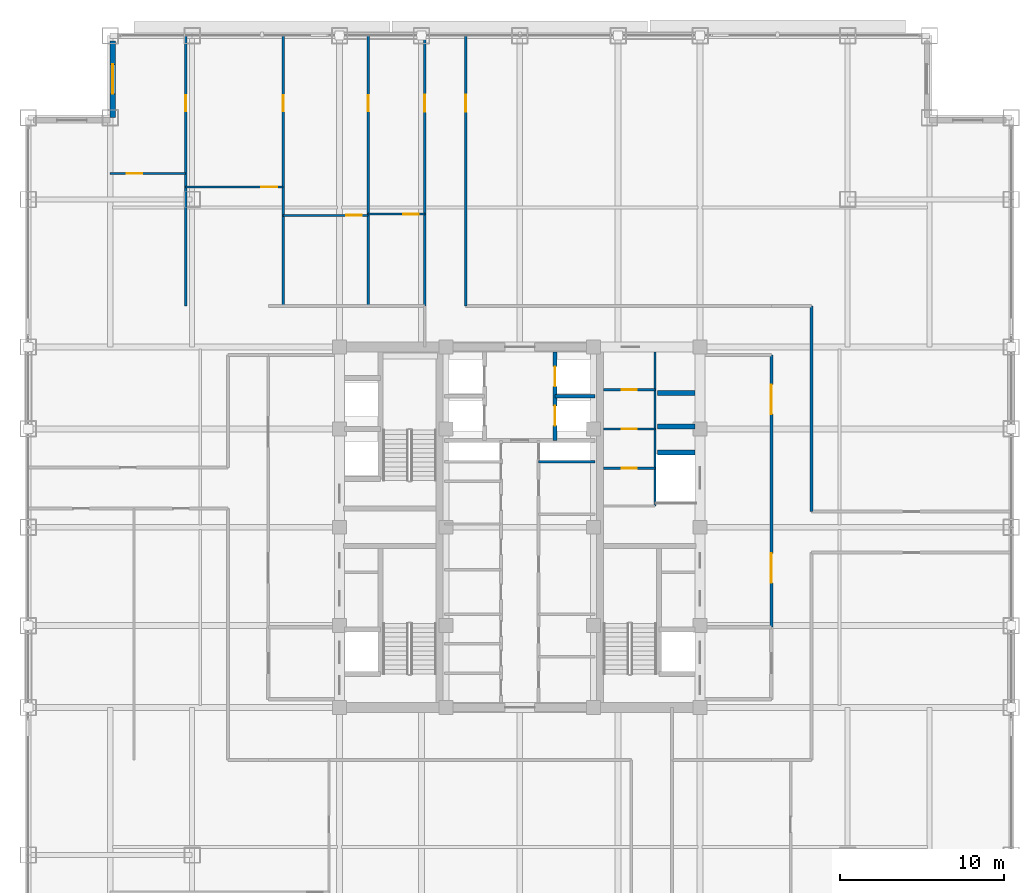
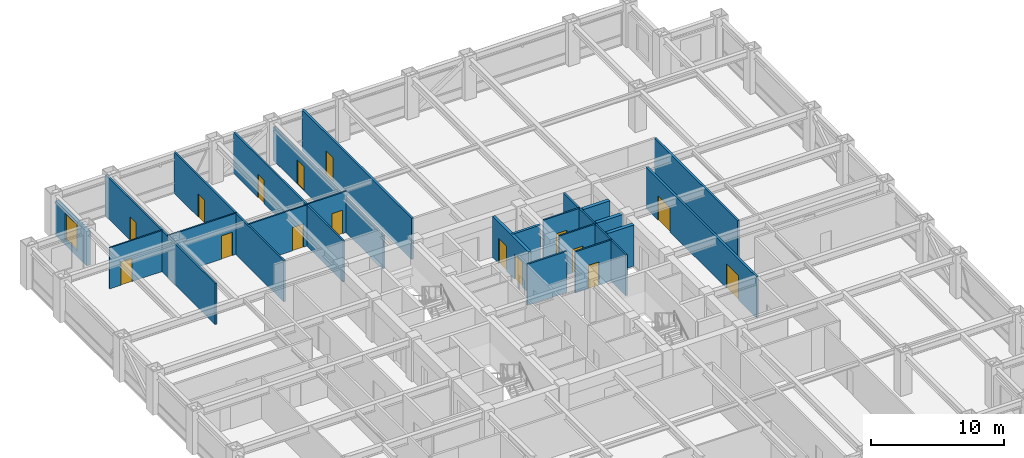
# One storey, part 23 of 29: 22 walls, 16 doors, 1 window, 17 openings.
"""IFC4 building model written with IfcOpenShell, lengths in metres."""

from ifc_helpers import new_model, si_unit, direction, frame, frame_2d, origin, place, context, subcontext, project, spatial, rectangle, extrude, source, transform, mapped, material, layer, layer_set, type_object, element, fill, save


model = new_model("IFC4")

# Units and contexts
model_context = context("Model", 3, precision=1e-05, world=origin(), true_north=direction((0.0, 1.0)))
body_context = subcontext(model_context, "Body", "Model", "MODEL_VIEW")
ifc_project = project(units=[si_unit("LENGTHUNIT", "METRE"), si_unit("AREAUNIT", "SQUARE_METRE"), si_unit("VOLUMEUNIT", "CUBIC_METRE"), si_unit("PLANEANGLEUNIT", "RADIAN"), si_unit("MASSUNIT", "GRAM", prefix="KILO")], contexts=[model_context])

# Site, building, storey
site_placement = place(None, origin())
site = spatial("IfcSite", under=ifc_project, at=site_placement, CompositionType="ELEMENT")
building_placement = place(site_placement, origin())
building = spatial("IfcBuilding", under=site, at=building_placement, Name="Khorayat Bourse Tower", CompositionType="ELEMENT")
storey_placement = place(building_placement, frame((0.0, 0.0, 239.10009765625)))
storey = spatial("IfcBuildingStorey", under=building, at=storey_placement, Name="L56", CompositionType="ELEMENT", Elevation=239.10009765625)

# Wall, opening, window
ifc_material_1 = material(Name="Precast concrete C45/55", Category="concrete")
ifc_layer_1 = layer(ifc_material_1, 0.320068359375)
ifc_layer_set_1 = layer_set([ifc_layer_1], Name="Precast concrete C45/55")
wall_type_1 = type_object("IfcWallType", Name="WAL-EXT-STONE-320", PredefinedType="STANDARD", material=ifc_layer_set_1)
shared_shape_1 = source(origin(), body_context, "Body", "SweptSolid", [
    extrude(rectangle(XDim=4.679931640625, YDim=0.320068359375, at=frame_2d((2.33984375, 0.0))), origin(), (0.0, 0.0, 1.0), 3.163818359375),
])
wall_1_placement = place(storey_placement, frame((-24.840087890625, 25.0, 0.0), z_axis=(0.0, 0.0, 1.0), x_axis=(0.0, 1.0, 0.0)))
wall_1 = element("IfcWall", 1, at=wall_1_placement, inside=storey, type_object=wall_type_1, Name="L56 Re-Entrant Notch Limestone Wall NW-V", PredefinedType="STANDARD", context=body_context, shape_type="MappedRepresentation", body=[
    mapped(shared_shape_1, transform((0.0, 0.0, 0.0), scale=1.0)),
])
shared_shape_2 = source(origin(), body_context, "Body", "SweptSolid", [
    extrude(rectangle(XDim=1.800048828125, YDim=2.39990234375, at=frame_2d((0.89990234375, 1.199951171875))), frame((0.0, 0.169921875, 0.0), z_axis=(0.0, -1.0, 0.0), x_axis=(1.0, 0.0, 0.0)), (0.0, 0.0, 1.0), 0.340087890625),
])
opening_1_placement = place(wall_1_placement, frame((1.43994140625, 0.0, 0.5)))
opening_1 = element("IfcOpeningElement", 2, at=opening_1_placement, cuts=wall_1, Name="Opening WN-04", PredefinedType="OPENING", context=body_context, shape_type="MappedRepresentation", body=[
    mapped(shared_shape_2, transform((0.0, 0.0, 0.0), scale=1.0)),
])
ifc_material_2 = material(Name="Low-E acoustic laminated double glazing", Category="glass")
window_type = type_object("IfcWindowType", Name="WIN-NOTCH-1800x2400", PartitioningType="SINGLE_PANEL", PredefinedType="WINDOW", material=ifc_material_2)
shared_shape_3 = source(origin(), body_context, "Body", "SweptSolid", [
    extrude(rectangle(XDim=1.800048828125, YDim=2.39990234375, at=frame_2d((0.89990234375, 1.199951171875))), frame((0.0, 0.030029296875, 0.0), z_axis=(0.0, -1.0, 0.0), x_axis=(1.0, 0.0, 0.0)), (0.0, 0.0, 1.0), 0.06005859375),
])
window_placement = place(opening_1_placement, origin())
window = element("IfcWindow", 3, at=window_placement, inside=storey, type_object=window_type, Name="L56 Facade Window 1", OverallHeight=2.39990234375, OverallWidth=1.800048828125, PartitioningType="SINGLE_PANEL", PredefinedType="WINDOW", context=body_context, shape_type="MappedRepresentation", body=[
    mapped(shared_shape_3, transform((0.0, 0.0, 0.0), scale=1.0)),
])
fill(opening_1, window)

# Walls
ifc_material_3 = material(Name="Concrete C50/60", Category="concrete")
ifc_layer_2 = layer(ifc_material_3, 0.300048828125)
ifc_layer_set_2 = layer_set([ifc_layer_2], Name="Concrete C50/60")
wall_type_2 = type_object("IfcWallType", Name="WAL-SHAFT-300", PredefinedType="SHEAR", material=ifc_layer_set_2)
shared_shape_4 = source(origin(), body_context, "Body", "SweptSolid", [
    extrude(rectangle(XDim=2.300048828125, YDim=0.300048828125, at=frame_2d((1.14990234375, 0.0))), origin(), (0.0, 0.0, 1.0), 3.77978515625),
])
for number, where, z_axis, x_axis, name in (
    (4, (8.39990234375, 4.550048828125, 0.0), (0.0, 0.0, 1.0), (1.0, 0.0, 0.0), "L56 Partition WAL-L56-EPIER-SVLN"),
    (5, (8.39990234375, 6.14990234375, 0.0), (0.0, 0.0, 1.0), (1.0, 0.0, 0.0), "L56 Partition WAL-L56-EPIER-H3S"),
    (6, (8.39990234375, 8.199951171875, 0.0), (0.0, 0.0, 1.0), (1.0, 0.0, 0.0), "L56 Partition WAL-L56-EPIER-H34"),
):
    element("IfcWall", number, at=place(storey_placement, frame(where, z_axis=z_axis, x_axis=x_axis)), inside=storey, type_object=wall_type_2, Name=name, PredefinedType="SHEAR", context=body_context, shape_type="MappedRepresentation", body=[
        mapped(shared_shape_4, transform((0.0, 0.0, 0.0), scale=1.0)),
    ])
ifc_material_4 = material(Name="Moisture-resistant masonry partition", Category="masonry")
ifc_layer_3 = layer(ifc_material_4, 0.139892578125)
ifc_layer_set_3 = layer_set([ifc_layer_3], Name="Moisture-resistant masonry partition")
wall_type_3 = type_object("IfcWallType", Name="WAL-PART-WET-140", PredefinedType="PARTITIONING", material=ifc_layer_set_3)
shared_shape_5 = source(origin(), body_context, "Body", "SweptSolid", [
    extrude(rectangle(XDim=9.39990234375, YDim=0.139892578125, at=frame_2d((4.699951171875, 0.0))), origin(), (0.0, 0.0, 1.0), 3.77978515625),
])
wall_2_placement = place(storey_placement, frame((8.25, 1.300048828125, 0.0), z_axis=(0.0, 0.0, 1.0), x_axis=(0.0, 1.0, 0.0)))
element("IfcWall", 7, at=wall_2_placement, inside=storey, type_object=wall_type_3, Name="L56 Partition WAL-L56-ECORE-E", PredefinedType="PARTITIONING", context=body_context, shape_type="MappedRepresentation", body=[
    mapped(shared_shape_5, transform((0.0, 0.0, 0.0), scale=1.0)),
])

# Wall, opening, door
shared_shape_6 = source(origin(), body_context, "Body", "SweptSolid", [
    extrude(rectangle(XDim=3.14990234375, YDim=0.139892578125, at=frame_2d((1.574951171875, 0.0))), origin(), (0.0, 0.0, 1.0), 3.77978515625),
])
wall_3_placement = place(storey_placement, frame((5.10009765625, 8.39990234375, 0.0), z_axis=(0.0, 0.0, 1.0), x_axis=(1.0, 0.0, 0.0)))
wall_3 = element("IfcWall", 8, at=wall_3_placement, inside=storey, type_object=wall_type_3, Name="L56 Partition WAL-L56-ECW-TOP", PredefinedType="PARTITIONING", context=body_context, shape_type="MappedRepresentation", body=[
    mapped(shared_shape_6, transform((0.0, 0.0, 0.0), scale=1.0)),
])
shared_shape_7 = source(origin(), body_context, "Body", "SweptSolid", [
    extrude(rectangle(XDim=0.89990234375, YDim=2.14990234375, at=frame_2d((0.449951171875, 1.074951171875))), frame((0.0, 0.079833984375, 0.0), z_axis=(0.0, -1.0, 0.0), x_axis=(1.0, 0.0, 0.0)), (0.0, 0.0, 1.0), 0.159912109375),
])
opening_2_placement = place(wall_3_placement, frame((1.1298828125, 0.0, 0.0)))
opening_2 = element("IfcOpeningElement", 9, at=opening_2_placement, cuts=wall_3, Name="Opening DI-06", PredefinedType="OPENING", context=body_context, shape_type="MappedRepresentation", body=[
    mapped(shared_shape_7, transform((0.0, 0.0, 0.0), scale=1.0)),
])
ifc_material_5 = material(Name="Moisture-resistant laminate washroom door")
door_type_1 = type_object("IfcDoorType", Name="DR-INT-WC-900", OperationType="NOTDEFINED", PredefinedType="DOOR", material=ifc_material_5)
shared_shape_8 = source(origin(), body_context, "Body", "SweptSolid", [
    extrude(rectangle(XDim=0.89990234375, YDim=2.14990234375, at=frame_2d((0.449951171875, 1.074951171875))), frame((0.0, 0.02490234375, 0.0), z_axis=(0.0, -1.0, 0.0), x_axis=(1.0, 0.0, 0.0)), (0.0, 0.0, 1.0), 0.050048828125),
])
door_1_placement = place(opening_2_placement, origin())
door_1 = element("IfcDoor", 10, at=door_1_placement, inside=storey, type_object=door_type_1, Name="L56 Accessible WC Door", OperationType="SINGLE_SWING_LEFT", OverallHeight=2.14990234375, OverallWidth=0.89990234375, PredefinedType="DOOR", context=body_context, shape_type="MappedRepresentation", body=[
    mapped(shared_shape_8, transform((0.0, 0.0, 0.0), scale=1.0)),
])
fill(opening_2, door_1)

wall_4_placement = place(storey_placement, frame((5.10009765625, 6.0, 0.0), z_axis=(0.0, 0.0, 1.0), x_axis=(1.0, 0.0, 0.0)))
wall_4 = element("IfcWall", 11, at=wall_4_placement, inside=storey, type_object=wall_type_3, Name="L56 Partition WAL-L56-ECW-H1", PredefinedType="PARTITIONING", context=body_context, shape_type="MappedRepresentation", body=[
    mapped(shared_shape_6, transform((0.0, 0.0, 0.0), scale=1.0)),
])
opening_3_placement = place(wall_4_placement, frame((1.1298828125, 0.0, 0.0)))
opening_3 = element("IfcOpeningElement", 12, at=opening_3_placement, cuts=wall_4, Name="Opening DI-06", PredefinedType="OPENING", context=body_context, shape_type="MappedRepresentation", body=[
    mapped(shared_shape_7, transform((0.0, 0.0, 0.0), scale=1.0)),
])
door_2_placement = place(opening_3_placement, origin())
door_2 = element("IfcDoor", 13, at=door_2_placement, inside=storey, type_object=door_type_1, Name="L56 Shared Washroom Door", OperationType="SINGLE_SWING_RIGHT", OverallHeight=2.14990234375, OverallWidth=0.89990234375, PredefinedType="DOOR", context=body_context, shape_type="MappedRepresentation", body=[
    mapped(shared_shape_8, transform((0.0, 0.0, 0.0), scale=1.0)),
])
fill(opening_3, door_2)

wall_5_placement = place(storey_placement, frame((5.10009765625, 3.60009765625, 0.0), z_axis=(0.0, 0.0, 1.0), x_axis=(1.0, 0.0, 0.0)))
wall_5 = element("IfcWall", 14, at=wall_5_placement, inside=storey, type_object=wall_type_3, Name="L56 Partition WAL-L56-ECW-H2", PredefinedType="PARTITIONING", context=body_context, shape_type="MappedRepresentation", body=[
    mapped(shared_shape_6, transform((0.0, 0.0, 0.0), scale=1.0)),
])
opening_4_placement = place(wall_5_placement, frame((1.1298828125, 0.0, 0.0)))
opening_4 = element("IfcOpeningElement", 15, at=opening_4_placement, cuts=wall_5, Name="Opening DI-06", PredefinedType="OPENING", context=body_context, shape_type="MappedRepresentation", body=[
    mapped(shared_shape_7, transform((0.0, 0.0, 0.0), scale=1.0)),
])
door_3_placement = place(opening_4_placement, origin())
door_3 = element("IfcDoor", 16, at=door_3_placement, inside=storey, type_object=door_type_1, Name="L56 Staff Washroom Door", OperationType="SINGLE_SWING_LEFT", OverallHeight=2.14990234375, OverallWidth=0.89990234375, PredefinedType="DOOR", context=body_context, shape_type="MappedRepresentation", body=[
    mapped(shared_shape_8, transform((0.0, 0.0, 0.0), scale=1.0)),
])
fill(opening_4, door_3)

# Wall, openings, doors
ifc_material_6 = material(Name="Gypsum plasterboard acoustic stud wall")
ifc_layer_4 = layer(ifc_material_6, 0.179931640625)
ifc_layer_set_4 = layer_set([ifc_layer_4], Name="Gypsum plasterboard acoustic stud wall")
wall_type_4 = type_object("IfcWallType", Name="WAL-PART-CORR-180", PredefinedType="PARTITIONING", material=ifc_layer_set_4)
shared_shape_9 = source(origin(), body_context, "Body", "SweptSolid", [
    extrude(rectangle(XDim=16.60009765625, YDim=0.179931640625, at=frame_2d((8.300048828125, 0.0))), origin(), (0.0, 0.0, 1.0), 3.77978515625),
])
wall_6_placement = place(storey_placement, frame((15.35009765625, -6.10009765625, 0.0), z_axis=(0.0, 0.0, 1.0), x_axis=(0.0, 1.0, 0.0)))
wall_6 = element("IfcWall", 17, at=wall_6_placement, inside=storey, type_object=wall_type_4, Name="L56 Partition WAL-L56-ELOB-E", PredefinedType="PARTITIONING", context=body_context, shape_type="MappedRepresentation", body=[
    mapped(shared_shape_9, transform((0.0, 0.0, 0.0), scale=1.0)),
])
shared_shape_10 = source(origin(), body_context, "Body", "SweptSolid", [
    extrude(rectangle(XDim=1.800048828125, YDim=2.25, at=frame_2d((0.89990234375, 1.125))), frame((0.0, 0.099853515625, 0.0), z_axis=(0.0, -1.0, 0.0), x_axis=(1.0, 0.0, 0.0)), (0.0, 0.0, 1.0), 0.199951171875),
])
opening_5_placement = place(wall_6_placement, frame((2.699951171875, 0.0, 0.0)))
opening_5 = element("IfcOpeningElement", 18, at=opening_5_placement, cuts=wall_6, Name="Opening DI-03", PredefinedType="OPENING", context=body_context, shape_type="MappedRepresentation", body=[
    mapped(shared_shape_10, transform((0.0, 0.0, 0.0), scale=1.0)),
])
opening_6_placement = place(wall_6_placement, frame((13.0, 0.0, 0.0)))
opening_6 = element("IfcOpeningElement", 19, at=opening_6_placement, cuts=wall_6, Name="Opening DI-03", PredefinedType="OPENING", context=body_context, shape_type="MappedRepresentation", body=[
    mapped(shared_shape_10, transform((0.0, 0.0, 0.0), scale=1.0)),
])
ifc_material_7 = material(Name="Fire-rated hardwood vision-panel double leaf", Category="wood")
door_type_2 = type_object("IfcDoorType", Name="DR-INT-CORR-1800", OperationType="NOTDEFINED", PredefinedType="DOOR", material=ifc_material_7)
shared_shape_11 = source(origin(), body_context, "Body", "SweptSolid", [
    extrude(rectangle(XDim=1.800048828125, YDim=2.25, at=frame_2d((0.89990234375, 1.125))), frame((0.0, 0.02490234375, 0.0), z_axis=(0.0, -1.0, 0.0), x_axis=(1.0, 0.0, 0.0)), (0.0, 0.0, 1.0), 0.050048828125),
])
door_4_placement = place(opening_5_placement, origin())
door_4 = element("IfcDoor", 20, at=door_4_placement, inside=storey, type_object=door_type_2, Name="L56 East Core Lobby South Door", OperationType="SINGLE_SWING_RIGHT", OverallHeight=2.25, OverallWidth=1.800048828125, PredefinedType="DOOR", context=body_context, shape_type="MappedRepresentation", body=[
    mapped(shared_shape_11, transform((0.0, 0.0, 0.0), scale=1.0)),
])
fill(opening_5, door_4)
door_5_placement = place(opening_6_placement, origin())
door_5 = element("IfcDoor", 21, at=door_5_placement, inside=storey, type_object=door_type_2, Name="L56 East Core Lobby North Door", OperationType="SINGLE_SWING_LEFT", OverallHeight=2.25, OverallWidth=1.800048828125, PredefinedType="DOOR", context=body_context, shape_type="MappedRepresentation", body=[
    mapped(shared_shape_11, transform((0.0, 0.0, 0.0), scale=1.0)),
])
fill(opening_6, door_5)

# Wall
ifc_material_8 = material(Name="Gypsum plasterboard twin-frame partition")
ifc_layer_5 = layer(ifc_material_8, 0.14990234375)
ifc_layer_set_5 = layer_set([ifc_layer_5], Name="Gypsum plasterboard twin-frame partition")
wall_type_5 = type_object("IfcWallType", Name="WAL-PART-SUITE-150", PredefinedType="PARTITIONING", material=ifc_layer_set_5)
shared_shape_12 = source(origin(), body_context, "Body", "SweptSolid", [
    extrude(rectangle(XDim=3.4501953125, YDim=0.14990234375, at=frame_2d((1.72509765625, 0.0))), origin(), (0.0, 0.0, 1.0), 3.77978515625),
])
wall_7_placement = place(storey_placement, frame((1.14990234375, 4.0, 0.0), z_axis=(0.0, 0.0, 1.0), x_axis=(1.0, 0.0, 0.0)))
element("IfcWall", 22, at=wall_7_placement, inside=storey, type_object=wall_type_5, Name="L56 Partition WAL-L56-CRSE-S", PredefinedType="PARTITIONING", context=body_context, shape_type="MappedRepresentation", body=[
    mapped(shared_shape_12, transform((0.0, 0.0, 0.0), scale=1.0)),
])

# Wall, openings, doors
shared_shape_13 = source(origin(), body_context, "Body", "SweptSolid", [
    extrude(rectangle(XDim=5.39990234375, YDim=0.25, at=frame_2d((2.699951171875, 0.0))), origin(), (0.0, 0.0, 1.0), 3.77978515625),
])
wall_8_placement = place(storey_placement, frame((2.14990234375, 5.300048828125, 0.0), z_axis=(0.0, 0.0, 1.0), x_axis=(0.0, 1.0, 0.0)))
wall_8 = element("IfcWall", 23, at=wall_8_placement, inside=storey, type_object=wall_type_2, Name="L56 Partition WAL-L56-B2-E", PredefinedType="SHEAR", context=body_context, shape_type="MappedRepresentation", body=[
    mapped(shared_shape_13, transform((0.0, 0.0, 0.0), scale=1.0)),
])
shared_shape_14 = source(origin(), body_context, "Body", "SweptSolid", [
    extrude(rectangle(XDim=1.199951171875, YDim=2.300048828125, at=frame_2d((0.60009765625, 1.14990234375))), frame((0.0, 0.135009765625, 0.0), z_axis=(0.0, -1.0, 0.0), x_axis=(1.0, 0.0, 0.0)), (0.0, 0.0, 1.0), 0.27001953125),
])
opening_7_placement = place(wall_8_placement, frame((3.300048828125, 0.0, 0.0)))
opening_7 = element("IfcOpeningElement", 24, at=opening_7_placement, cuts=wall_8, Name="Opening LD-01", PredefinedType="OPENING", context=body_context, shape_type="MappedRepresentation", body=[
    mapped(shared_shape_14, transform((0.0, 0.0, 0.0), scale=1.0)),
])
opening_8_placement = place(wall_8_placement, frame((0.89990234375, 0.0, 0.0)))
opening_8 = element("IfcOpeningElement", 25, at=opening_8_placement, cuts=wall_8, Name="Opening LD-01", PredefinedType="OPENING", context=body_context, shape_type="MappedRepresentation", body=[
    mapped(shared_shape_14, transform((0.0, 0.0, 0.0), scale=1.0)),
])
ifc_material_9 = material(Name="Brushed bronze stainless-steel sliding door", Category="steel")
door_type_3 = type_object("IfcDoorType", Name="DR-LIFT-PASS-1200", OperationType="NOTDEFINED", PredefinedType="DOOR", material=ifc_material_9)
shared_shape_15 = source(origin(), body_context, "Body", "SweptSolid", [
    extrude(rectangle(XDim=1.199951171875, YDim=2.300048828125, at=frame_2d((0.60009765625, 1.14990234375))), frame((0.0, 0.02490234375, 0.0), z_axis=(0.0, -1.0, 0.0), x_axis=(1.0, 0.0, 0.0)), (0.0, 0.0, 1.0), 0.050048828125),
])
door_6_placement = place(opening_7_placement, origin())
door_6 = element("IfcDoor", 26, at=door_6_placement, inside=storey, type_object=door_type_3, Name="L56 Lift PL-M2 Sliding Landing Door", OperationType="SLIDING_TO_LEFT", OverallHeight=2.300048828125, OverallWidth=1.199951171875, PredefinedType="DOOR", context=body_context, shape_type="MappedRepresentation", body=[
    mapped(shared_shape_15, transform((0.0, 0.0, 0.0), scale=1.0)),
])
fill(opening_7, door_6)
door_7_placement = place(opening_8_placement, origin())
door_7 = element("IfcDoor", 27, at=door_7_placement, inside=storey, type_object=door_type_3, Name="L56 Lift PL-M4 Sliding Landing Door", OperationType="SLIDING_TO_LEFT", OverallHeight=2.300048828125, OverallWidth=1.199951171875, PredefinedType="DOOR", context=body_context, shape_type="MappedRepresentation", body=[
    mapped(shared_shape_15, transform((0.0, 0.0, 0.0), scale=1.0)),
])
fill(opening_8, door_7)

# Wall
shared_shape_16 = source(origin(), body_context, "Body", "SweptSolid", [
    extrude(rectangle(XDim=2.4501953125, YDim=0.199951171875, at=frame_2d((1.22509765625, 0.0))), origin(), (0.0, 0.0, 1.0), 3.77978515625),
])
wall_9_placement = place(storey_placement, frame((2.14990234375, 8.0, 0.0), z_axis=(0.0, 0.0, 1.0), x_axis=(1.0, 0.0, 0.0)))
element("IfcWall", 28, at=wall_9_placement, inside=storey, type_object=wall_type_2, Name="L56 Partition WAL-L56-B2-ME", PredefinedType="SHEAR", context=body_context, shape_type="MappedRepresentation", body=[
    mapped(shared_shape_16, transform((0.0, 0.0, 0.0), scale=1.0)),
])

# Wall, opening, door
shared_shape_17 = source(origin(), body_context, "Body", "SweptSolid", [
    extrude(rectangle(XDim=16.5, YDim=0.179931640625, at=frame_2d((8.25, 0.0))), origin(), (0.0, 0.0, 1.0), 3.77978515625),
])
wall_10_placement = place(storey_placement, frame((-3.300048828125, 13.5, 0.0), z_axis=(0.0, 0.0, 1.0), x_axis=(0.0, 1.0, 0.0)))
wall_10 = element("IfcWall", 29, at=wall_10_placement, inside=storey, type_object=wall_type_4, Name="L56 Partition WAL-L56-QNE-SPK", PredefinedType="PARTITIONING", context=body_context, shape_type="MappedRepresentation", body=[
    mapped(shared_shape_17, transform((0.0, 0.0, 0.0), scale=1.0)),
])
shared_shape_18 = source(origin(), body_context, "Body", "SweptSolid", [
    extrude(rectangle(XDim=1.050048828125, YDim=2.199951171875, at=frame_2d((0.52490234375, 1.10009765625))), frame((0.0, 0.099853515625, 0.0), z_axis=(0.0, -1.0, 0.0), x_axis=(1.0, 0.0, 0.0)), (0.0, 0.0, 1.0), 0.199951171875),
])
opening_9_placement = place(wall_10_placement, frame((11.85009765625, 0.0, 0.0)))
opening_9 = element("IfcOpeningElement", 30, at=opening_9_placement, cuts=wall_10, Name="Opening DI-04", PredefinedType="OPENING", context=body_context, shape_type="MappedRepresentation", body=[
    mapped(shared_shape_18, transform((0.0, 0.0, 0.0), scale=1.0)),
])
ifc_material_10 = material(Name="Fire-rated oak veneer suite entrance door")
door_type_4 = type_object("IfcDoorType", Name="DR-INT-SUITE-1050", OperationType="NOTDEFINED", PredefinedType="DOOR", material=ifc_material_10)
shared_shape_19 = source(origin(), body_context, "Body", "SweptSolid", [
    extrude(rectangle(XDim=1.050048828125, YDim=2.199951171875, at=frame_2d((0.52490234375, 1.10009765625))), frame((0.0, 0.02490234375, 0.0), z_axis=(0.0, -1.0, 0.0), x_axis=(1.0, 0.0, 0.0)), (0.0, 0.0, 1.0), 0.050048828125),
])
door_8_placement = place(opening_9_placement, origin())
door_8 = element("IfcDoor", 31, at=door_8_placement, inside=storey, type_object=door_type_4, Name="L56 North-East Radial Spoke Entry", OperationType="SINGLE_SWING_LEFT", OverallHeight=2.199951171875, OverallWidth=1.050048828125, PredefinedType="DOOR", context=body_context, shape_type="MappedRepresentation", body=[
    mapped(shared_shape_19, transform((0.0, 0.0, 0.0), scale=1.0)),
])
fill(opening_9, door_8)

shared_shape_20 = source(origin(), body_context, "Body", "SweptSolid", [
    extrude(rectangle(XDim=16.5, YDim=0.14990234375, at=frame_2d((8.25, 0.0))), origin(), (0.0, 0.0, 1.0), 3.77978515625),
])
wall_11_placement = place(storey_placement, frame((-20.39208984375, 13.5, 0.0), z_axis=(0.0, 0.0, 1.0), x_axis=(0.0, 1.0, 0.0)))
wall_11 = element("IfcWall", 32, at=wall_11_placement, inside=storey, type_object=wall_type_5, Name="L56 Partition WAL-L56-QNWDV-1", PredefinedType="PARTITIONING", context=body_context, shape_type="MappedRepresentation", body=[
    mapped(shared_shape_20, transform((0.0, 0.0, 0.0), scale=1.0)),
])
shared_shape_21 = source(origin(), body_context, "Body", "SweptSolid", [
    extrude(rectangle(XDim=0.949951171875, YDim=2.14990234375, at=frame_2d((0.47509765625, 1.074951171875))), frame((0.0, 0.0849609375, 0.0), z_axis=(0.0, -1.0, 0.0), x_axis=(1.0, 0.0, 0.0)), (0.0, 0.0, 1.0), 0.169921875),
])
opening_10_placement = place(wall_11_placement, frame((11.89990234375, 0.0, 0.0)))
opening_10 = element("IfcOpeningElement", 33, at=opening_10_placement, cuts=wall_11, Name="Opening DI-05", PredefinedType="OPENING", context=body_context, shape_type="MappedRepresentation", body=[
    mapped(shared_shape_21, transform((0.0, 0.0, 0.0), scale=1.0)),
])
ifc_material_11 = material(Name="Acoustic oak veneer office door")
door_type_5 = type_object("IfcDoorType", Name="DR-INT-OFFICE-950", OperationType="NOTDEFINED", PredefinedType="DOOR", material=ifc_material_11)
shared_shape_22 = source(origin(), body_context, "Body", "SweptSolid", [
    extrude(rectangle(XDim=0.949951171875, YDim=2.14990234375, at=frame_2d((0.47509765625, 1.074951171875))), frame((0.0, 0.02490234375, 0.0), z_axis=(0.0, -1.0, 0.0), x_axis=(1.0, 0.0, 0.0)), (0.0, 0.0, 1.0), 0.050048828125),
])
door_9_placement = place(opening_10_placement, origin())
door_9 = element("IfcDoor", 34, at=door_9_placement, inside=storey, type_object=door_type_5, Name="L56 North-West Suite Link 1", OperationType="SINGLE_SWING_RIGHT", OverallHeight=2.14990234375, OverallWidth=0.949951171875, PredefinedType="DOOR", context=body_context, shape_type="MappedRepresentation", body=[
    mapped(shared_shape_22, transform((0.0, 0.0, 0.0), scale=1.0)),
])
fill(opening_10, door_9)

wall_12_placement = place(storey_placement, frame((-14.43994140625, 13.5, 0.0), z_axis=(0.0, 0.0, 1.0), x_axis=(0.0, 1.0, 0.0)))
wall_12 = element("IfcWall", 35, at=wall_12_placement, inside=storey, type_object=wall_type_5, Name="L56 Partition WAL-L56-QNWDV-2", PredefinedType="PARTITIONING", context=body_context, shape_type="MappedRepresentation", body=[
    mapped(shared_shape_20, transform((0.0, 0.0, 0.0), scale=1.0)),
])
opening_11_placement = place(wall_12_placement, frame((11.89990234375, 0.0, 0.0)))
opening_11 = element("IfcOpeningElement", 36, at=opening_11_placement, cuts=wall_12, Name="Opening DI-05", PredefinedType="OPENING", context=body_context, shape_type="MappedRepresentation", body=[
    mapped(shared_shape_21, transform((0.0, 0.0, 0.0), scale=1.0)),
])
door_10_placement = place(opening_11_placement, origin())
door_10 = element("IfcDoor", 37, at=door_10_placement, inside=storey, type_object=door_type_5, Name="L56 North-West Suite Link 2", OperationType="SINGLE_SWING_LEFT", OverallHeight=2.14990234375, OverallWidth=0.949951171875, PredefinedType="DOOR", context=body_context, shape_type="MappedRepresentation", body=[
    mapped(shared_shape_22, transform((0.0, 0.0, 0.0), scale=1.0)),
])
fill(opening_11, door_10)

wall_13_placement = place(storey_placement, frame((-9.256103515625, 13.5, 0.0), z_axis=(0.0, 0.0, 1.0), x_axis=(0.0, 1.0, 0.0)))
wall_13 = element("IfcWall", 38, at=wall_13_placement, inside=storey, type_object=wall_type_5, Name="L56 Partition WAL-L56-QNWDV-3", PredefinedType="PARTITIONING", context=body_context, shape_type="MappedRepresentation", body=[
    mapped(shared_shape_20, transform((0.0, 0.0, 0.0), scale=1.0)),
])
opening_12_placement = place(wall_13_placement, frame((11.89990234375, 0.0, 0.0)))
opening_12 = element("IfcOpeningElement", 39, at=opening_12_placement, cuts=wall_13, Name="Opening DI-05", PredefinedType="OPENING", context=body_context, shape_type="MappedRepresentation", body=[
    mapped(shared_shape_21, transform((0.0, 0.0, 0.0), scale=1.0)),
])
door_11_placement = place(opening_12_placement, origin())
door_11 = element("IfcDoor", 40, at=door_11_placement, inside=storey, type_object=door_type_5, Name="L56 North-West Suite Link 3", OperationType="SINGLE_SWING_RIGHT", OverallHeight=2.14990234375, OverallWidth=0.949951171875, PredefinedType="DOOR", context=body_context, shape_type="MappedRepresentation", body=[
    mapped(shared_shape_22, transform((0.0, 0.0, 0.0), scale=1.0)),
])
fill(opening_12, door_11)

ifc_material_12 = material(Name="Gypsum plasterboard partition")
ifc_layer_6 = layer(ifc_material_12, 0.125)
ifc_layer_set_6 = layer_set([ifc_layer_6], Name="Gypsum plasterboard partition")
wall_type_6 = type_object("IfcWallType", Name="WAL-PART-ROOM-125", PredefinedType="PARTITIONING", material=ifc_layer_set_6)
shared_shape_23 = source(origin(), body_context, "Body", "SweptSolid", [
    extrude(rectangle(XDim=4.60791015625, YDim=0.125, at=frame_2d((2.303955078125, 0.0))), origin(), (0.0, 0.0, 1.0), 3.77978515625),
])
wall_14_placement = place(storey_placement, frame((-25.0, 21.5849609375, 0.0), z_axis=(0.0, 0.0, 1.0), x_axis=(1.0, 0.0, 0.0)))
wall_14 = element("IfcWall", 41, at=wall_14_placement, inside=storey, type_object=wall_type_6, Name="L56 Partition WAL-L56-QNWDP-1", PredefinedType="PARTITIONING", context=body_context, shape_type="MappedRepresentation", body=[
    mapped(shared_shape_23, transform((0.0, 0.0, 0.0), scale=1.0)),
])
shared_shape_24 = source(origin(), body_context, "Body", "SweptSolid", [
    extrude(rectangle(XDim=0.949951171875, YDim=2.14990234375, at=frame_2d((0.47509765625, 1.074951171875))), frame((0.0, 0.072509765625, 0.0), z_axis=(0.0, -1.0, 0.0), x_axis=(1.0, 0.0, 0.0)), (0.0, 0.0, 1.0), 0.14501953125),
])
opening_13_placement = place(wall_14_placement, frame((0.99951171875, 0.0, 0.0)))
opening_13 = element("IfcOpeningElement", 42, at=opening_13_placement, cuts=wall_14, Name="Opening DI-05", PredefinedType="OPENING", context=body_context, shape_type="MappedRepresentation", body=[
    mapped(shared_shape_24, transform((0.0, 0.0, 0.0), scale=1.0)),
])
door_12_placement = place(opening_13_placement, origin())
door_12 = element("IfcDoor", 43, at=door_12_placement, inside=storey, type_object=door_type_5, Name="L56 North-West Staff Tea Pantry 1B Door", OperationType="SINGLE_SWING_RIGHT", OverallHeight=2.14990234375, OverallWidth=0.949951171875, PredefinedType="DOOR", context=body_context, shape_type="MappedRepresentation", body=[
    mapped(shared_shape_22, transform((0.0, 0.0, 0.0), scale=1.0)),
])
fill(opening_13, door_12)

shared_shape_25 = source(origin(), body_context, "Body", "SweptSolid", [
    extrude(rectangle(XDim=5.9521484375, YDim=0.125, at=frame_2d((2.97607421875, 0.0))), origin(), (0.0, 0.0, 1.0), 3.77978515625),
])
wall_15_placement = place(storey_placement, frame((-20.39208984375, 20.760009765625, 0.0), z_axis=(0.0, 0.0, 1.0), x_axis=(1.0, 0.0, 0.0)))
wall_15 = element("IfcWall", 44, at=wall_15_placement, inside=storey, type_object=wall_type_6, Name="L56 Partition WAL-L56-QNWDP-2", PredefinedType="PARTITIONING", context=body_context, shape_type="MappedRepresentation", body=[
    mapped(shared_shape_25, transform((0.0, 0.0, 0.0), scale=1.0)),
])
opening_14_placement = place(wall_15_placement, frame((4.626953125, 0.0, 0.0)))
opening_14 = element("IfcOpeningElement", 45, at=opening_14_placement, cuts=wall_15, Name="Opening DI-05", PredefinedType="OPENING", context=body_context, shape_type="MappedRepresentation", body=[
    mapped(shared_shape_24, transform((0.0, 0.0, 0.0), scale=1.0)),
])
door_13_placement = place(opening_14_placement, origin())
door_13 = element("IfcDoor", 46, at=door_13_placement, inside=storey, type_object=door_type_5, Name="L56 North-West Market Reference Library 2B Door", OperationType="SINGLE_SWING_LEFT", OverallHeight=2.14990234375, OverallWidth=0.949951171875, PredefinedType="DOOR", context=body_context, shape_type="MappedRepresentation", body=[
    mapped(shared_shape_22, transform((0.0, 0.0, 0.0), scale=1.0)),
])
fill(opening_14, door_13)

shared_shape_26 = source(origin(), body_context, "Body", "SweptSolid", [
    extrude(rectangle(XDim=5.183837890625, YDim=0.125, at=frame_2d((2.591796875, 0.0))), origin(), (0.0, 0.0, 1.0), 3.77978515625),
])
wall_16_placement = place(storey_placement, frame((-14.43994140625, 19.034912109375, 0.0), z_axis=(0.0, 0.0, 1.0), x_axis=(1.0, 0.0, 0.0)))
wall_16 = element("IfcWall", 47, at=wall_16_placement, inside=storey, type_object=wall_type_6, Name="L56 Partition WAL-L56-QNWDP-3", PredefinedType="PARTITIONING", context=body_context, shape_type="MappedRepresentation", body=[
    mapped(shared_shape_26, transform((0.0, 0.0, 0.0), scale=1.0)),
])
opening_15_placement = place(wall_16_placement, frame((3.85888671875, 0.0, 0.0)))
opening_15 = element("IfcOpeningElement", 48, at=opening_15_placement, cuts=wall_16, Name="Opening DI-05", PredefinedType="OPENING", context=body_context, shape_type="MappedRepresentation", body=[
    mapped(shared_shape_24, transform((0.0, 0.0, 0.0), scale=1.0)),
])
door_14_placement = place(opening_15_placement, origin())
door_14 = element("IfcDoor", 49, at=door_14_placement, inside=storey, type_object=door_type_5, Name="L56 North-West Floor Reception Concierge 3B Door", OperationType="SINGLE_SWING_RIGHT", OverallHeight=2.14990234375, OverallWidth=0.949951171875, PredefinedType="DOOR", context=body_context, shape_type="MappedRepresentation", body=[
    mapped(shared_shape_22, transform((0.0, 0.0, 0.0), scale=1.0)),
])
fill(opening_15, door_14)

shared_shape_27 = source(origin(), body_context, "Body", "SweptSolid", [
    extrude(rectangle(XDim=3.4560546875, YDim=0.125, at=frame_2d((1.72802734375, 0.0))), origin(), (0.0, 0.0, 1.0), 3.77978515625),
])
wall_17_placement = place(storey_placement, frame((-9.256103515625, 19.110107421875, 0.0), z_axis=(0.0, 0.0, 1.0), x_axis=(1.0, 0.0, 0.0)))
wall_17 = element("IfcWall", 50, at=wall_17_placement, inside=storey, type_object=wall_type_6, Name="L56 Partition WAL-L56-QNWDP-4", PredefinedType="PARTITIONING", context=body_context, shape_type="MappedRepresentation", body=[
    mapped(shared_shape_27, transform((0.0, 0.0, 0.0), scale=1.0)),
])
opening_16_placement = place(wall_17_placement, frame((2.131103515625, 0.0, 0.0)))
opening_16 = element("IfcOpeningElement", 51, at=opening_16_placement, cuts=wall_17, Name="Opening DI-05", PredefinedType="OPENING", context=body_context, shape_type="MappedRepresentation", body=[
    mapped(shared_shape_24, transform((0.0, 0.0, 0.0), scale=1.0)),
])
door_15_placement = place(opening_16_placement, origin())
door_15 = element("IfcDoor", 52, at=door_15_placement, inside=storey, type_object=door_type_5, Name="L56 North-West Brokerage Member Kiosk 4B Door", OperationType="SINGLE_SWING_LEFT", OverallHeight=2.14990234375, OverallWidth=0.949951171875, PredefinedType="DOOR", context=body_context, shape_type="MappedRepresentation", body=[
    mapped(shared_shape_22, transform((0.0, 0.0, 0.0), scale=1.0)),
])
fill(opening_16, door_15)

shared_shape_28 = source(origin(), body_context, "Body", "SweptSolid", [
    extrude(rectangle(XDim=16.5, YDim=0.179931640625, at=frame_2d((8.25, 0.0))), origin(), (0.0, 0.0, 1.0), 3.0849609375),
])
wall_18_placement = place(storey_placement, frame((-5.800048828125, 13.5, 0.0), z_axis=(0.0, 0.0, 1.0), x_axis=(0.0, 1.0, 0.0)))
wall_18 = element("IfcWall", 53, at=wall_18_placement, inside=storey, type_object=wall_type_4, Name="L56 Partition WAL-L56-QNW-SPK", PredefinedType="PARTITIONING", context=body_context, shape_type="MappedRepresentation", body=[
    mapped(shared_shape_28, transform((0.0, 0.0, 0.0), scale=1.0)),
])
opening_17_placement = place(wall_18_placement, frame((11.85009765625, 0.0, 0.0)))
opening_17 = element("IfcOpeningElement", 54, at=opening_17_placement, cuts=wall_18, Name="Opening DI-04", PredefinedType="OPENING", context=body_context, shape_type="MappedRepresentation", body=[
    mapped(shared_shape_18, transform((0.0, 0.0, 0.0), scale=1.0)),
])
door_16_placement = place(opening_17_placement, origin())
door_16 = element("IfcDoor", 55, at=door_16_placement, inside=storey, type_object=door_type_4, Name="L56 North-West Radial Spoke Entry", OperationType="SINGLE_SWING_LEFT", OverallHeight=2.199951171875, OverallWidth=1.050048828125, PredefinedType="DOOR", context=body_context, shape_type="MappedRepresentation", body=[
    mapped(shared_shape_19, transform((0.0, 0.0, 0.0), scale=1.0)),
])
fill(opening_17, door_16)

# Wall
shared_shape_29 = source(origin(), body_context, "Body", "SweptSolid", [
    extrude(rectangle(XDim=12.550048828125, YDim=0.179931640625, at=frame_2d((6.27490234375, 0.0))), origin(), (0.0, 0.0, 1.0), 3.77978515625),
])
wall_19_placement = place(storey_placement, frame((17.800048828125, 0.949951171875, 0.0), z_axis=(0.0, 0.0, 1.0), x_axis=(0.0, 1.0, 0.0)))
element("IfcWall", 56, at=wall_19_placement, inside=storey, type_object=wall_type_4, Name="L56 Partition WAL-L56-EN-IN", PredefinedType="PARTITIONING", context=body_context, shape_type="MappedRepresentation", body=[
    mapped(shared_shape_29, transform((0.0, 0.0, 0.0), scale=1.0)),
])

save(model, "model.ifc")
